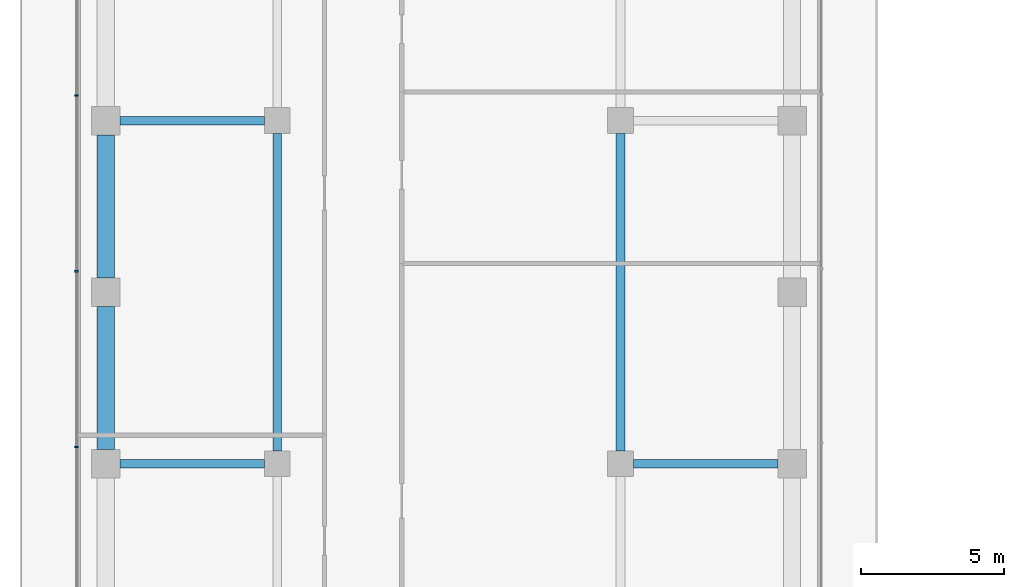
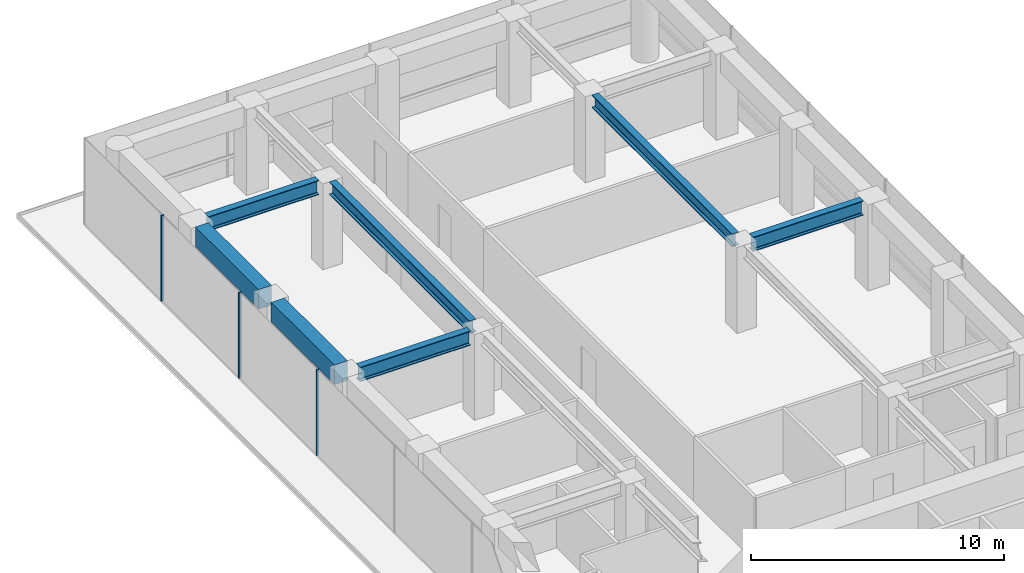
# One storey, part 15 of 24: 7 beams, 3 members, 1 element without a shape of its own.
"""IFC4 building model written with IfcOpenShell, lengths in metres."""

from ifc_helpers import new_model, si_unit, direction, frame, origin, origin_2d, place, context, subcontext, project, spatial, rectangle, i_section, extrude, material, layer, layer_set, material_profile, profile_set, type_object, element, aggregate, save


model = new_model("IFC4")

# Units and contexts
model_context = context("Model", 3, precision=1e-05, world=origin(), true_north=direction((0.0, 1.0)))
body_context = subcontext(model_context, "Body", "Model", "MODEL_VIEW")
ifc_project = project(units=[si_unit("LENGTHUNIT", "METRE"), si_unit("AREAUNIT", "SQUARE_METRE"), si_unit("VOLUMEUNIT", "CUBIC_METRE"), si_unit("PLANEANGLEUNIT", "RADIAN"), si_unit("MASSUNIT", "GRAM", prefix="KILO")], contexts=[model_context])

# Site, building, storey
site_placement = place(None, origin())
site = spatial("IfcSite", under=ifc_project, at=site_placement, CompositionType="ELEMENT")
building_placement = place(site_placement, origin())
building = spatial("IfcBuilding", under=site, at=building_placement, Name="Welwitschia Terrace Campus", CompositionType="ELEMENT")
storey_placement = place(building_placement, frame((0.0, 0.0, 24.5)))
storey = spatial("IfcBuildingStorey", under=building, at=storey_placement, Name="L05", CompositionType="ELEMENT", Elevation=24.5)

# Beams
ifc_material_1 = material(Name="Steel S355", Category="steel")
ifc_material_profile_1 = material_profile(ifc_material_1, i_section(OverallWidth=0.304931640625, OverallDepth=0.6201171875, WebThickness=0.02099609375, FlangeThickness=0.0400390625, FilletRadius=0.027099609375, at=origin_2d()))
ifc_profile_set_1 = profile_set([ifc_material_profile_1], Name="Steel S355")
beam_type_1 = type_object("IfcBeamType", Name="Interior girder HE 600 M", PredefinedType="BEAM", material=ifc_profile_set_1)
for number, where, z_axis, x_axis, name in (
    (1, (6.0, 44.450439453125, 3.840087890625), (0.0, 1.0, 0.0), (-1.0, 0.0, 0.0), "Girder GB1"),
    (2, (18.0, 44.450439453125, 3.840087890625), (0.0, 1.0, 0.0), (-1.0, 0.0, 0.0), "Girder GB1"),
):
    element("IfcBeam", number, at=place(storey_placement, frame(where, z_axis=z_axis, x_axis=x_axis)), inside=storey, type_object=beam_type_1, Name=name, PredefinedType="BEAM", context=body_context, shape_type="SweptSolid", body=[
        extrude(i_section(OverallWidth=0.304931640625, OverallDepth=0.6201171875, WebThickness=0.02099609375, FlangeThickness=0.0400390625, FilletRadius=0.027099609375, at=origin_2d()), origin(), (0.0, 0.0, 1.0), 11.09912109375),
    ])

# Curtain wall, members
ifc_material_2 = material(Name="Bronze anodised aluminium", Category="aluminium")
ifc_layer = layer(ifc_material_2, 0.1201171875)
ifc_layer_set = layer_set([ifc_layer], Name="Bronze anodised aluminium")
curtain_wall_type = type_object("IfcCurtainWallType", Name="Curtain wall CW2 tower 6000", PredefinedType="NOTDEFINED", material=ifc_layer_set)
curtain_wall_placement = place(storey_placement, origin())
curtain_wall = element("IfcCurtainWall", 3, at=curtain_wall_placement, inside=storey, type_object=curtain_wall_type, Name="CW L05.9.0", PredefinedType="NOTDEFINED")
ifc_material_3 = material(Name="Bronze anodised aluminium", Category="aluminium")
ifc_material_profile_2 = material_profile(ifc_material_3, rectangle(XDim=0.1201171875, YDim=0.06005859375, at=origin_2d()))
ifc_profile_set_2 = profile_set([ifc_material_profile_2], Name="Bronze anodised aluminium")
member_type = type_object("IfcMemberType", Name="Mullion 60x120", PredefinedType="MULLION", material=ifc_profile_set_2)
member_1_placement = place(storey_placement, frame((-1.02001953125, 56.875732421875, 0.0), z_axis=(0.0, 0.0, 1.0), x_axis=(1.0, 0.0, 0.0)))
member_1 = element("IfcMember", 4, at=member_1_placement, type_object=member_type, Name="Mullion L05.9.0.1", PredefinedType="MULLION", context=body_context, shape_type="SweptSolid", body=[
    extrude(rectangle(XDim=0.1201171875, YDim=0.06005859375, at=origin_2d()), origin(), (0.0, 0.0, 1.0), 4.14990234375),
])
member_2_placement = place(storey_placement, frame((-1.02001953125, 50.7314453125, 0.0), z_axis=(0.0, 0.0, 1.0), x_axis=(1.0, 0.0, 0.0)))
member_2 = element("IfcMember", 5, at=member_2_placement, type_object=member_type, Name="Mullion L05.9.0.2", PredefinedType="MULLION", context=body_context, shape_type="SweptSolid", body=[
    extrude(rectangle(XDim=0.1201171875, YDim=0.06005859375, at=origin_2d()), origin(), (0.0, 0.0, 1.0), 4.14990234375),
])
member_3_placement = place(storey_placement, frame((-1.02001953125, 44.587158203125, 0.0), z_axis=(0.0, 0.0, 1.0), x_axis=(1.0, 0.0, 0.0)))
member_3 = element("IfcMember", 6, at=member_3_placement, type_object=member_type, Name="Mullion L05.9.0.3", PredefinedType="MULLION", context=body_context, shape_type="SweptSolid", body=[
    extrude(rectangle(XDim=0.1201171875, YDim=0.06005859375, at=origin_2d()), origin(), (0.0, 0.0, 1.0), 4.14990234375),
])
aggregate(curtain_wall, [member_1, member_2, member_3])

# Beams
ifc_material_4 = material(Name="Steel S355", Category="steel")
ifc_material_profile_3 = material_profile(ifc_material_4, i_section(OverallWidth=0.300048828125, OverallDepth=0.699951171875, WebThickness=0.01708984375, FlangeThickness=0.031982421875, FilletRadius=0.027099609375, at=origin_2d()))
ifc_profile_set_3 = profile_set([ifc_material_profile_3], Name="Steel S355")
beam_type_2 = type_object("IfcBeamType", Name="Primary beam HE 700 B", PredefinedType="BEAM", material=ifc_profile_set_3)
for number, where, z_axis, x_axis, name in (
    (7, (23.49951171875, 44.0, 3.800048828125), (-1.0, 0.0, 0.0), (0.0, -1.0, 0.0), "Primary beam PB1"),
    (8, (0.50048828125, 56.0, 3.800048828125), (1.0, 0.0, 0.0), (0.0, 1.0, 0.0), "Primary beam PB1"),
    (9, (0.50048828125, 44.0, 3.800048828125), (1.0, 0.0, 0.0), (0.0, 1.0, 0.0), "Primary beam PB1"),
):
    element("IfcBeam", number, at=place(storey_placement, frame(where, z_axis=z_axis, x_axis=x_axis)), inside=storey, type_object=beam_type_2, Name=name, PredefinedType="BEAM", context=body_context, shape_type="SweptSolid", body=[
        extrude(i_section(OverallWidth=0.300048828125, OverallDepth=0.699951171875, WebThickness=0.01708984375, FlangeThickness=0.031982421875, FilletRadius=0.027099609375, at=origin_2d()), origin(), (0.0, 0.0, 1.0), 5.049072265625),
    ])
ifc_material_5 = material(Name="Concrete C60/75", Category="concrete")
ifc_material_profile_4 = material_profile(ifc_material_5, rectangle(XDim=0.60009765625, YDim=0.949951171875, at=origin_2d()))
ifc_profile_set_4 = profile_set([ifc_material_profile_4], Name="Concrete C60/75")
beam_type_3 = type_object("IfcBeamType", Name="Ring spandrel 600x950", PredefinedType="SPANDREL", material=ifc_profile_set_4)
for number, where, z_axis, x_axis, name in (
    (10, (0.0, 55.49951171875, 3.675048828125), (0.0, -1.0, 0.0), (1.0, 0.0, 0.0), "Spandrel SP1"),
    (11, (0.0, 49.49951171875, 3.675048828125), (0.0, -1.0, 0.0), (1.0, 0.0, 0.0), "Spandrel SP1"),
):
    element("IfcBeam", number, at=place(storey_placement, frame(where, z_axis=z_axis, x_axis=x_axis)), inside=storey, type_object=beam_type_3, Name=name, PredefinedType="SPANDREL", context=body_context, shape_type="SweptSolid", body=[
        extrude(rectangle(XDim=0.60009765625, YDim=0.949951171875, at=origin_2d()), origin(), (0.0, 0.0, 1.0), 4.9990234375),
    ])

save(model, "model.ifc")
